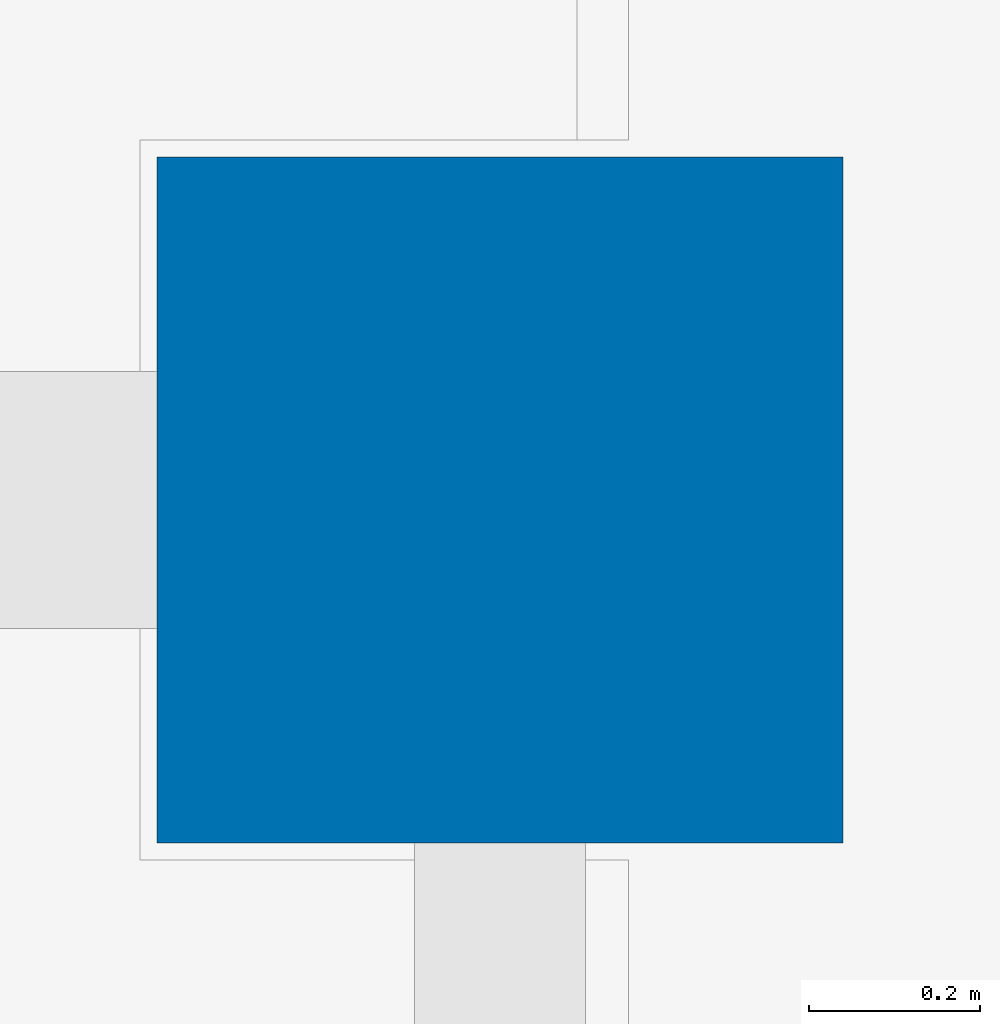
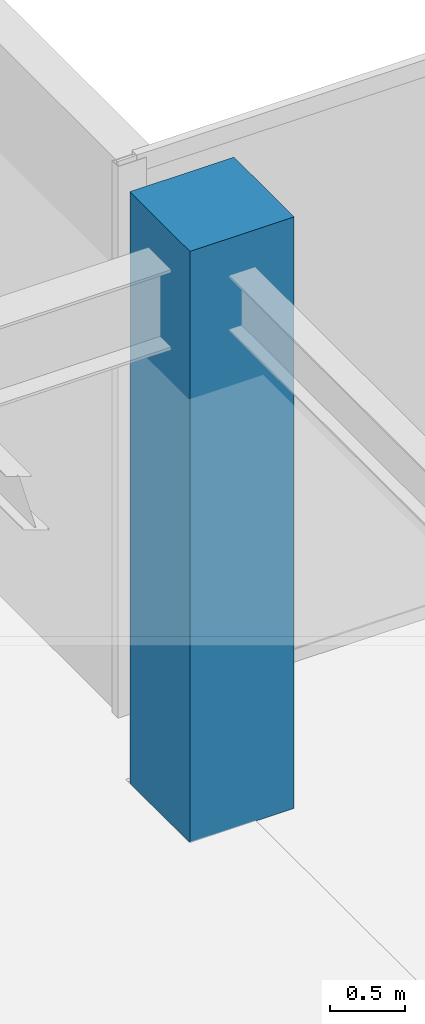
# One storey, part 4 of 37: 1 column.
"""IFC4 building model written with IfcOpenShell, lengths in metres."""

from ifc_helpers import new_model, si_unit, direction, frame, origin, origin_2d, place, context, subcontext, project, spatial, rectangle, extrude, source, transform, mapped, material, material_profile, profile_set, type_object, type_shapes, element, save


model = new_model("IFC4")

# Units and contexts
model_context = context("Model", 3, precision=1e-05, world=origin(), true_north=direction((0.0, 1.0)))
body_context = subcontext(model_context, "Body", "Model", "MODEL_VIEW")
ifc_project = project(units=[si_unit("LENGTHUNIT", "METRE"), si_unit("AREAUNIT", "SQUARE_METRE"), si_unit("VOLUMEUNIT", "CUBIC_METRE"), si_unit("PLANEANGLEUNIT", "RADIAN"), si_unit("MASSUNIT", "GRAM", prefix="KILO")], contexts=[model_context])

# Site, building, storey
site_placement = place(None, origin())
site = spatial("IfcSite", under=ifc_project, at=site_placement, CompositionType="ELEMENT")
building_placement = place(site_placement, origin())
building = spatial("IfcBuilding", under=site, at=building_placement, Name="Haelvirn Gate Laboratories", CompositionType="ELEMENT")
storey_placement = place(building_placement, frame((0.0, 0.0, 196.60009765625)))
storey = spatial("IfcBuildingStorey", under=building, at=storey_placement, Name="L47", CompositionType="ELEMENT", Elevation=196.60009765625)

# Column
ifc_material = material(Name="Concrete C50/60", Category="concrete")
ifc_material_profile = material_profile(ifc_material, rectangle(XDim=0.800048828125, YDim=0.800048828125, at=origin_2d()), Name="RC-800x800")
ifc_profile_set = profile_set([ifc_material_profile], Name="Concrete C50/60")
column_type = type_object("IfcColumnType", Name="COL-RC-800", PredefinedType="COLUMN", material=ifc_profile_set)
shared_shape = source(origin(), body_context, "Body", "SweptSolid", [
    extrude(rectangle(XDim=0.800048828125, YDim=0.800048828125, at=origin_2d()), origin(), (0.0, 0.0, 1.0), 4.7998046875),
])
type_shapes(column_type, [shared_shape])
column_placement = place(storey_placement, frame((67.39990234375, 41.60009765625, 0.0), z_axis=(0.0, 0.0, 1.0), x_axis=(1.0, 0.0, 0.0)))
element("IfcColumn", 1, at=column_placement, inside=storey, type_object=column_type, Name="L47 Column 10G", PredefinedType="COLUMN", context=body_context, shape_type="MappedRepresentation", body=[
    mapped(shared_shape, transform((0.0, 0.0, 0.0), scale=1.0)),
])

save(model, "model.ifc")
